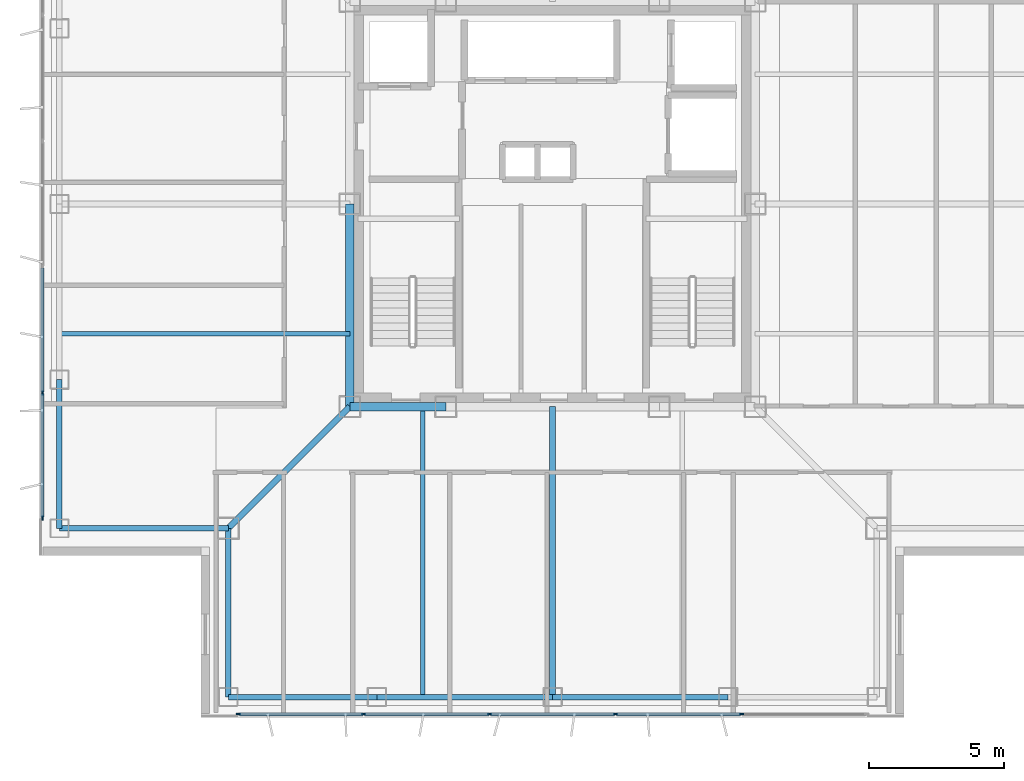
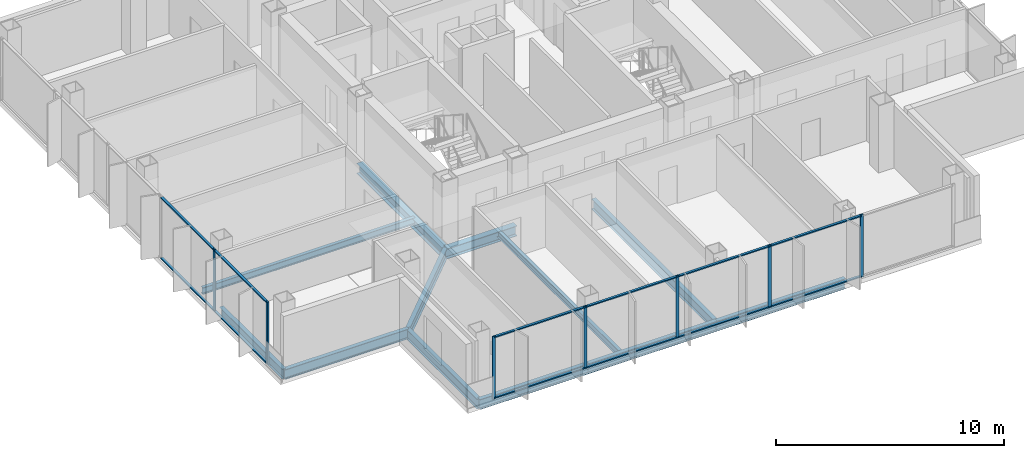
# One storey, part 2 of 15: 19 members, 12 beams, 2 elements without a shape of their own.
"""IFC4 building model written with IfcOpenShell, lengths in metres."""

from ifc_helpers import new_model, si_unit, direction, frame, origin, origin_2d, place, context, subcontext, project, spatial, rectangle, i_section, extrude, material, layer, layer_set, material_profile, profile_set, type_object, element, aggregate, save


model = new_model("IFC4")

# Units and contexts
model_context = context("Model", 3, precision=1e-05, world=origin(), true_north=direction((0.0, 1.0)))
body_context = subcontext(model_context, "Body", "Model", "MODEL_VIEW")
ifc_project = project(units=[si_unit("LENGTHUNIT", "METRE"), si_unit("AREAUNIT", "SQUARE_METRE"), si_unit("VOLUMEUNIT", "CUBIC_METRE"), si_unit("PLANEANGLEUNIT", "RADIAN"), si_unit("MASSUNIT", "GRAM", prefix="KILO")], contexts=[model_context])

# Site, building, storey
site_placement = place(None, origin())
site = spatial("IfcSite", under=ifc_project, at=site_placement, CompositionType="ELEMENT")
building_placement = place(site_placement, origin())
building = spatial("IfcBuilding", under=site, at=building_placement, Name="Trevonay Congress Spire", CompositionType="ELEMENT")
storey_placement = place(building_placement, frame((0.0, 0.0, 293.60009765625)))
storey = spatial("IfcBuildingStorey", under=building, at=storey_placement, Name="L77", CompositionType="ELEMENT", Elevation=293.60009765625)

# Beams
ifc_material_1 = material(Name="Steel ASTM A572 Grade 50", Category="steel")
ifc_material_profile_1 = material_profile(ifc_material_1, i_section(OverallWidth=0.2119140625, OverallDepth=0.5439453125, WebThickness=0.01318359375, FlangeThickness=0.021240234375, FilletRadius=0.014892578125, at=origin_2d()), Name="W530x123")
ifc_profile_set_1 = profile_set([ifc_material_profile_1], Name="Steel ASTM A572 Grade 50")
beam_type_1 = type_object("IfcBeamType", Name="BM-GIRD-W530X123", PredefinedType="BEAM", material=ifc_profile_set_1)
beam_1_placement = place(storey_placement, frame((-7.5, -7.5, -0.51220703125), z_axis=(-0.707106781187, -0.707106781187, 0.0), x_axis=(0.707106781187, -0.707106781187, 0.0)))
element("IfcBeam", 1, at=beam_1_placement, inside=storey, type_object=beam_type_1, Name="L77 structural beam BM-L77-CDSW", PredefinedType="BEAM", context=body_context, shape_type="SweptSolid", body=[
    extrude(i_section(OverallWidth=0.2119140625, OverallDepth=0.5439453125, WebThickness=0.01318359375, FlangeThickness=0.021240234375, FilletRadius=0.014892578125, at=origin_2d()), origin(), (0.0, 0.0, 1.0), 6.364013671875),
])
beam_2_placement = place(storey_placement, frame((0.0, -7.5, -0.51220703125), z_axis=(0.0, -1.0, 0.0), x_axis=(1.0, 0.0, 0.0)))
element("IfcBeam", 2, at=beam_2_placement, inside=storey, type_object=beam_type_1, Name="L77 structural beam BM-L77-GC-S", PredefinedType="BEAM", context=body_context, shape_type="SweptSolid", body=[
    extrude(i_section(OverallWidth=0.2119140625, OverallDepth=0.5439453125, WebThickness=0.01318359375, FlangeThickness=0.021240234375, FilletRadius=0.014892578125, at=origin_2d()), origin(), (0.0, 0.0, 1.0), 10.75),
])
ifc_material_profile_2 = material_profile(ifc_material_1, i_section(OverallWidth=0.31201171875, OverallDepth=0.54296875, WebThickness=0.0126953125, FlangeThickness=0.020263671875, FilletRadius=0.014892578125, at=origin_2d()), Name="W530x150")
ifc_profile_set_2 = profile_set([ifc_material_profile_2], Name="Steel ASTM A572 Grade 50")
beam_type_2 = type_object("IfcBeamType", Name="BM-GIRD-W530X150", PredefinedType="BEAM", material=ifc_profile_set_2)
beam_3_placement = place(storey_placement, frame((-7.5, -7.5, -0.51171875), z_axis=(1.0, 0.0, 0.0), x_axis=(0.0, 1.0, 0.0)))
element("IfcBeam", 3, at=beam_3_placement, inside=storey, type_object=beam_type_2, Name="L77 structural beam BM-L77-CR-S1", PredefinedType="BEAM", context=body_context, shape_type="SweptSolid", body=[
    extrude(i_section(OverallWidth=0.31201171875, OverallDepth=0.54296875, WebThickness=0.0126953125, FlangeThickness=0.020263671875, FilletRadius=0.014892578125, at=origin_2d()), origin(), (0.0, 0.0, 1.0), 3.550048828125),
])
beam_4_placement = place(storey_placement, frame((-7.5, -7.5, -0.51171875), z_axis=(0.0, 1.0, 0.0), x_axis=(-1.0, 0.0, 0.0)))
element("IfcBeam", 4, at=beam_4_placement, inside=storey, type_object=beam_type_2, Name="L77 structural beam BM-L77-CR-W1", PredefinedType="BEAM", context=body_context, shape_type="SweptSolid", body=[
    extrude(i_section(OverallWidth=0.31201171875, OverallDepth=0.54296875, WebThickness=0.0126953125, FlangeThickness=0.020263671875, FilletRadius=0.014892578125, at=origin_2d()), origin(), (0.0, 0.0, 1.0), 7.5),
])
ifc_material_profile_3 = material_profile(ifc_material_1, i_section(OverallWidth=0.208984375, OverallDepth=0.532958984375, WebThickness=0.01025390625, FlangeThickness=0.015625, FilletRadius=0.014892578125, at=origin_2d()), Name="W530x92")
ifc_profile_set_3 = profile_set([ifc_material_profile_3], Name="Steel ASTM A572 Grade 50")
beam_type_3 = type_object("IfcBeamType", Name="BM-RING-W530X92", PredefinedType="BEAM", material=ifc_profile_set_3)
for number, where, z_axis, x_axis, name in (
    (5, (-12.0, -18.25, -0.506591796875), (1.0, 0.0, 0.0), (0.0, 1.0, 0.0), "L77 structural beam BM-L77-PS1"),
    (6, (-18.25, -12.0, -0.506591796875), (0.0, 1.0, 0.0), (-1.0, 0.0, 0.0), "L77 structural beam BM-L77-PW1"),
):
    element("IfcBeam", number, at=place(storey_placement, frame(where, z_axis=z_axis, x_axis=x_axis)), inside=storey, type_object=beam_type_3, Name=name, PredefinedType="BEAM", context=body_context, shape_type="SweptSolid", body=[
        extrude(i_section(OverallWidth=0.208984375, OverallDepth=0.532958984375, WebThickness=0.01025390625, FlangeThickness=0.015625, FilletRadius=0.014892578125, at=origin_2d()), origin(), (0.0, 0.0, 1.0), 5.5),
    ])
for number, where, z_axis, x_axis, name in (
    (7, (-6.5, -18.25, -0.506591796875), (1.0, 0.0, 0.0), (0.0, 1.0, 0.0), "L77 structural beam BM-L77-PS2"),
    (8, (0.0, -18.25, -0.506591796875), (1.0, 0.0, 0.0), (0.0, 1.0, 0.0), "L77 structural beam BM-L77-PS3"),
):
    element("IfcBeam", number, at=place(storey_placement, frame(where, z_axis=z_axis, x_axis=x_axis)), inside=storey, type_object=beam_type_3, Name=name, PredefinedType="BEAM", context=body_context, shape_type="SweptSolid", body=[
        extrude(i_section(OverallWidth=0.208984375, OverallDepth=0.532958984375, WebThickness=0.01025390625, FlangeThickness=0.015625, FilletRadius=0.014892578125, at=origin_2d()), origin(), (0.0, 0.0, 1.0), 6.5),
    ])
for number, where, z_axis, x_axis, name in (
    (9, (-12.0, -18.25, -0.506591796875), (0.0, 1.0, 0.0), (-1.0, 0.0, 0.0), "L77 structural beam BM-L77-N1SW"),
    (10, (-18.25, -12.0, -0.506591796875), (1.0, 0.0, 0.0), (0.0, 1.0, 0.0), "L77 structural beam BM-L77-N2SW"),
):
    element("IfcBeam", number, at=place(storey_placement, frame(where, z_axis=z_axis, x_axis=x_axis)), inside=storey, type_object=beam_type_3, Name=name, PredefinedType="BEAM", context=body_context, shape_type="SweptSolid", body=[
        extrude(i_section(OverallWidth=0.208984375, OverallDepth=0.532958984375, WebThickness=0.01025390625, FlangeThickness=0.015625, FilletRadius=0.014892578125, at=origin_2d()), origin(), (0.0, 0.0, 1.0), 6.25),
    ])

# Curtain wall, members
ifc_material_2 = material(Name="Pale Anodised Aluminium EN AW-6063-T6", Category="aluminium")
ifc_layer = layer(ifc_material_2, 0.1650390625, Name="Pale Anodised Aluminium EN AW-6063-T6")
ifc_layer_set = layer_set([ifc_layer], Name="Pale Anodised Aluminium EN AW-6063-T6")
curtain_wall_type = type_object("IfcCurtainWallType", Name="CW-SYS05-DIPLOM-PALE-METAL", PredefinedType="NOTDEFINED", material=ifc_layer_set)
curtain_wall_1_placement = place(storey_placement, origin())
curtain_wall_1 = element("IfcCurtainWall", 11, at=curtain_wall_1_placement, inside=storey, type_object=curtain_wall_type, Name="L77 S unitised curtain wall", PredefinedType="NOTDEFINED")
ifc_material_profile_4 = material_profile(ifc_material_2, rectangle(XDim=0.06005859375, YDim=0.159912109375, at=origin_2d()), Name="CW-MULLION-160-ALUMINIUM")
ifc_profile_set_4 = profile_set([ifc_material_profile_4], Name="Pale Anodised Aluminium EN AW-6063-T6")
member_type_1 = type_object("IfcMemberType", Name="CW-MULLION-160-ALUMINIUM", PredefinedType="MULLION", material=ifc_profile_set_4)
member_1_placement = place(storey_placement, frame((-11.6201171875, -18.8798828125, 0.0), z_axis=(0.0, 0.0, 1.0), x_axis=(0.0, 1.0, 0.0)))
member_1 = element("IfcMember", 12, at=member_1_placement, type_object=member_type_1, Name="CW05 mullion 1", PredefinedType="MULLION", context=body_context, shape_type="SweptSolid", body=[
    extrude(rectangle(XDim=0.06005859375, YDim=0.159912109375, at=origin_2d()), origin(), (0.0, 0.0, 1.0), 3.35986328125),
])
member_2_placement = place(storey_placement, frame((-6.989990234375, -18.8798828125, 0.0), z_axis=(0.0, 0.0, 1.0), x_axis=(0.0, 1.0, 0.0)))
member_2 = element("IfcMember", 13, at=member_2_placement, type_object=member_type_1, Name="CW05 mullion 2", PredefinedType="MULLION", context=body_context, shape_type="SweptSolid", body=[
    extrude(rectangle(XDim=0.06005859375, YDim=0.159912109375, at=origin_2d()), origin(), (0.0, 0.0, 1.0), 3.35986328125),
])
member_3_placement = place(storey_placement, frame((-2.330078125, -18.8798828125, 0.0), z_axis=(0.0, 0.0, 1.0), x_axis=(0.0, 1.0, 0.0)))
member_3 = element("IfcMember", 14, at=member_3_placement, type_object=member_type_1, Name="CW05 mullion 3", PredefinedType="MULLION", context=body_context, shape_type="SweptSolid", body=[
    extrude(rectangle(XDim=0.06005859375, YDim=0.159912109375, at=origin_2d()), origin(), (0.0, 0.0, 1.0), 3.35986328125),
])
member_4_placement = place(storey_placement, frame((2.330078125, -18.8798828125, 0.0), z_axis=(0.0, 0.0, 1.0), x_axis=(0.0, 1.0, 0.0)))
member_4 = element("IfcMember", 15, at=member_4_placement, type_object=member_type_1, Name="CW05 mullion 4", PredefinedType="MULLION", context=body_context, shape_type="SweptSolid", body=[
    extrude(rectangle(XDim=0.06005859375, YDim=0.159912109375, at=origin_2d()), origin(), (0.0, 0.0, 1.0), 3.35986328125),
])
member_5_placement = place(storey_placement, frame((6.989990234375, -18.8798828125, 0.0), z_axis=(0.0, 0.0, 1.0), x_axis=(0.0, 1.0, 0.0)))
member_5 = element("IfcMember", 16, at=member_5_placement, type_object=member_type_1, Name="CW05 mullion 5", PredefinedType="MULLION", context=body_context, shape_type="SweptSolid", body=[
    extrude(rectangle(XDim=0.06005859375, YDim=0.159912109375, at=origin_2d()), origin(), (0.0, 0.0, 1.0), 3.35986328125),
])

curtain_wall_2_placement = place(storey_placement, origin())
curtain_wall_2 = element("IfcCurtainWall", 17, at=curtain_wall_2_placement, inside=storey, type_object=curtain_wall_type, Name="L77 W unitised curtain wall", PredefinedType="NOTDEFINED")
member_6_placement = place(storey_placement, frame((-18.8798828125, -11.6201171875, 0.0), z_axis=(0.0, 0.0, 1.0), x_axis=(-1.0, 0.0, 0.0)))
member_6 = element("IfcMember", 18, at=member_6_placement, type_object=member_type_1, Name="CW05 mullion 1", PredefinedType="MULLION", context=body_context, shape_type="SweptSolid", body=[
    extrude(rectangle(XDim=0.06005859375, YDim=0.159912109375, at=origin_2d()), origin(), (0.0, 0.0, 1.0), 3.35986328125),
])
member_7_placement = place(storey_placement, frame((-18.8798828125, -6.989990234375, 0.0), z_axis=(0.0, 0.0, 1.0), x_axis=(-1.0, 0.0, 0.0)))
member_7 = element("IfcMember", 19, at=member_7_placement, type_object=member_type_1, Name="CW05 mullion 2", PredefinedType="MULLION", context=body_context, shape_type="SweptSolid", body=[
    extrude(rectangle(XDim=0.06005859375, YDim=0.159912109375, at=origin_2d()), origin(), (0.0, 0.0, 1.0), 3.35986328125),
])

# Member
ifc_material_profile_5 = material_profile(ifc_material_2, rectangle(XDim=0.1201171875, YDim=0.06005859375, at=origin_2d()), Name="CW-TRANSOM-120-ALUMINIUM")
ifc_profile_set_5 = profile_set([ifc_material_profile_5], Name="Pale Anodised Aluminium EN AW-6063-T6")
member_type_2 = type_object("IfcMemberType", Name="CW-TRANSOM-120-ALUMINIUM", PredefinedType="USERDEFINED", material=ifc_profile_set_5)
member_8_placement = place(storey_placement, frame((-11.590087890625, -18.8798828125, 0.059814453125), z_axis=(1.0, 0.0, 0.0), x_axis=(0.0, 1.0, 0.0)))
member_8 = element("IfcMember", 20, at=member_8_placement, type_object=member_type_2, Name="CW05 transom 1.1", ObjectType="TRANSOM", PredefinedType="USERDEFINED", context=body_context, shape_type="SweptSolid", body=[
    extrude(rectangle(XDim=0.1201171875, YDim=0.06005859375, at=origin_2d()), origin(), (0.0, 0.0, 1.0), 4.570068359375),
])

member_9_placement = place(storey_placement, frame((-11.590087890625, -18.8798828125, 3.2998046875), z_axis=(1.0, 0.0, 0.0), x_axis=(0.0, 1.0, 0.0)))
member_9 = element("IfcMember", 21, at=member_9_placement, type_object=member_type_2, Name="CW05 transom 1.2", ObjectType="TRANSOM", PredefinedType="USERDEFINED", context=body_context, shape_type="SweptSolid", body=[
    extrude(rectangle(XDim=0.1201171875, YDim=0.06005859375, at=origin_2d()), origin(), (0.0, 0.0, 1.0), 4.570068359375),
])

member_10_placement = place(storey_placement, frame((-6.9599609375, -18.8798828125, 0.059814453125), z_axis=(1.0, 0.0, 0.0), x_axis=(0.0, 1.0, 0.0)))
member_10 = element("IfcMember", 22, at=member_10_placement, type_object=member_type_2, Name="CW05 transom 2.1", ObjectType="TRANSOM", PredefinedType="USERDEFINED", context=body_context, shape_type="SweptSolid", body=[
    extrude(rectangle(XDim=0.1201171875, YDim=0.06005859375, at=origin_2d()), origin(), (0.0, 0.0, 1.0), 4.599853515625),
])

member_11_placement = place(storey_placement, frame((-6.9599609375, -18.8798828125, 3.2998046875), z_axis=(1.0, 0.0, 0.0), x_axis=(0.0, 1.0, 0.0)))
member_11 = element("IfcMember", 23, at=member_11_placement, type_object=member_type_2, Name="CW05 transom 2.2", ObjectType="TRANSOM", PredefinedType="USERDEFINED", context=body_context, shape_type="SweptSolid", body=[
    extrude(rectangle(XDim=0.1201171875, YDim=0.06005859375, at=origin_2d()), origin(), (0.0, 0.0, 1.0), 4.599853515625),
])

member_12_placement = place(storey_placement, frame((-2.300048828125, -18.8798828125, 0.059814453125), z_axis=(1.0, 0.0, 0.0), x_axis=(0.0, 1.0, 0.0)))
member_12 = element("IfcMember", 24, at=member_12_placement, type_object=member_type_2, Name="CW05 transom 3.1", ObjectType="TRANSOM", PredefinedType="USERDEFINED", context=body_context, shape_type="SweptSolid", body=[
    extrude(rectangle(XDim=0.1201171875, YDim=0.06005859375, at=origin_2d()), origin(), (0.0, 0.0, 1.0), 4.60009765625),
])

member_13_placement = place(storey_placement, frame((-2.300048828125, -18.8798828125, 3.2998046875), z_axis=(1.0, 0.0, 0.0), x_axis=(0.0, 1.0, 0.0)))
member_13 = element("IfcMember", 25, at=member_13_placement, type_object=member_type_2, Name="CW05 transom 3.2", ObjectType="TRANSOM", PredefinedType="USERDEFINED", context=body_context, shape_type="SweptSolid", body=[
    extrude(rectangle(XDim=0.1201171875, YDim=0.06005859375, at=origin_2d()), origin(), (0.0, 0.0, 1.0), 4.60009765625),
])

member_14_placement = place(storey_placement, frame((2.360107421875, -18.8798828125, 0.059814453125), z_axis=(1.0, 0.0, 0.0), x_axis=(0.0, 1.0, 0.0)))
member_14 = element("IfcMember", 26, at=member_14_placement, type_object=member_type_2, Name="CW05 transom 4.1", ObjectType="TRANSOM", PredefinedType="USERDEFINED", context=body_context, shape_type="SweptSolid", body=[
    extrude(rectangle(XDim=0.1201171875, YDim=0.06005859375, at=origin_2d()), origin(), (0.0, 0.0, 1.0), 4.599853515625),
])

member_15_placement = place(storey_placement, frame((2.360107421875, -18.8798828125, 3.2998046875), z_axis=(1.0, 0.0, 0.0), x_axis=(0.0, 1.0, 0.0)))
member_15 = element("IfcMember", 27, at=member_15_placement, type_object=member_type_2, Name="CW05 transom 4.2", ObjectType="TRANSOM", PredefinedType="USERDEFINED", context=body_context, shape_type="SweptSolid", body=[
    extrude(rectangle(XDim=0.1201171875, YDim=0.06005859375, at=origin_2d()), origin(), (0.0, 0.0, 1.0), 4.599853515625),
])

aggregate(curtain_wall_1, [member_1, member_2, member_3, member_4, member_5, member_8, member_9, member_10, member_11, member_12, member_13, member_14, member_15])

member_16_placement = place(storey_placement, frame((-18.8798828125, -11.590087890625, 0.059814453125), z_axis=(0.0, 1.0, 0.0), x_axis=(-1.0, 0.0, 0.0)))
member_16 = element("IfcMember", 28, at=member_16_placement, type_object=member_type_2, Name="CW05 transom 1.1", ObjectType="TRANSOM", PredefinedType="USERDEFINED", context=body_context, shape_type="SweptSolid", body=[
    extrude(rectangle(XDim=0.1201171875, YDim=0.06005859375, at=origin_2d()), origin(), (0.0, 0.0, 1.0), 4.570068359375),
])

member_17_placement = place(storey_placement, frame((-18.8798828125, -11.590087890625, 3.2998046875), z_axis=(0.0, 1.0, 0.0), x_axis=(-1.0, 0.0, 0.0)))
member_17 = element("IfcMember", 29, at=member_17_placement, type_object=member_type_2, Name="CW05 transom 1.2", ObjectType="TRANSOM", PredefinedType="USERDEFINED", context=body_context, shape_type="SweptSolid", body=[
    extrude(rectangle(XDim=0.1201171875, YDim=0.06005859375, at=origin_2d()), origin(), (0.0, 0.0, 1.0), 4.570068359375),
])

member_18_placement = place(storey_placement, frame((-18.8798828125, -6.9599609375, 0.059814453125), z_axis=(0.0, 1.0, 0.0), x_axis=(-1.0, 0.0, 0.0)))
member_18 = element("IfcMember", 30, at=member_18_placement, type_object=member_type_2, Name="CW05 transom 2.1", ObjectType="TRANSOM", PredefinedType="USERDEFINED", context=body_context, shape_type="SweptSolid", body=[
    extrude(rectangle(XDim=0.1201171875, YDim=0.06005859375, at=origin_2d()), origin(), (0.0, 0.0, 1.0), 4.599853515625),
])

member_19_placement = place(storey_placement, frame((-18.8798828125, -6.9599609375, 3.2998046875), z_axis=(0.0, 1.0, 0.0), x_axis=(-1.0, 0.0, 0.0)))
member_19 = element("IfcMember", 31, at=member_19_placement, type_object=member_type_2, Name="CW05 transom 2.2", ObjectType="TRANSOM", PredefinedType="USERDEFINED", context=body_context, shape_type="SweptSolid", body=[
    extrude(rectangle(XDim=0.1201171875, YDim=0.06005859375, at=origin_2d()), origin(), (0.0, 0.0, 1.0), 4.599853515625),
])

aggregate(curtain_wall_2, [member_6, member_7, member_16, member_17, member_18, member_19])

# Beams
ifc_material_profile_6 = material_profile(ifc_material_1, i_section(OverallWidth=0.172119140625, OverallDepth=0.35791015625, WebThickness=0.0078125, FlangeThickness=0.01318359375, FilletRadius=0.011962890625, at=origin_2d()), Name="W360x57.8")
ifc_profile_set_6 = profile_set([ifc_material_profile_6], Name="Steel ASTM A572 Grade 50")
beam_type_4 = type_object("IfcBeamType", Name="JS-COMP-W360X57", PredefinedType="JOIST", material=ifc_profile_set_6)
for number, where, z_axis, x_axis, name in (
    (32, (-4.800048828125, -18.25, -0.419189453125), (0.0, 1.0, 0.0), (-1.0, 0.0, 0.0), "L77 structural beam JS-L77-NS-S1"),
    (33, (-18.25, -4.800048828125, -0.419189453125), (1.0, 0.0, 0.0), (0.0, 1.0, 0.0), "L77 structural beam JS-L77-EW-W1"),
):
    element("IfcBeam", number, at=place(storey_placement, frame(where, z_axis=z_axis, x_axis=x_axis)), inside=storey, type_object=beam_type_4, Name=name, PredefinedType="JOIST", context=body_context, shape_type="SweptSolid", body=[
        extrude(i_section(OverallWidth=0.172119140625, OverallDepth=0.35791015625, WebThickness=0.0078125, FlangeThickness=0.01318359375, FilletRadius=0.011962890625, at=origin_2d()), origin(), (0.0, 0.0, 1.0), 10.75),
    ])

save(model, "model.ifc")
